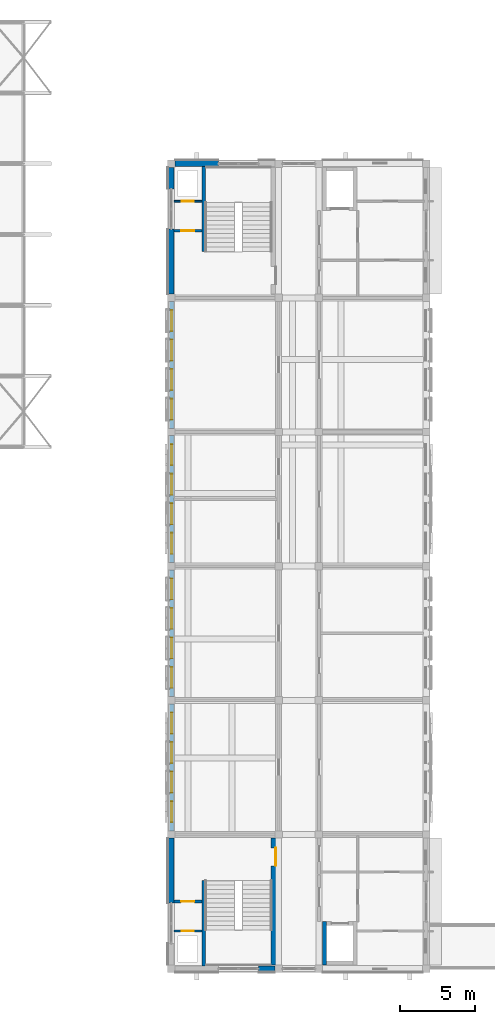
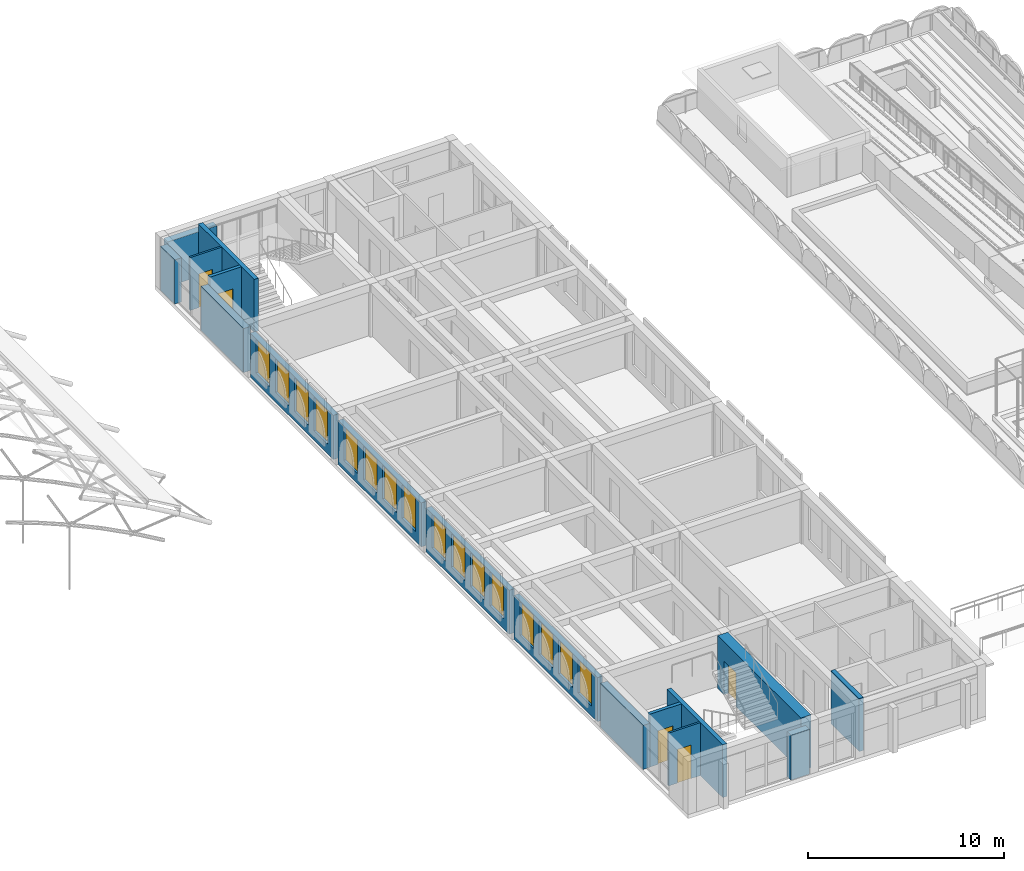
# One storey, part 29 of 50: 17 walls, 16 windows, 5 doors, 21 openings.
"""IFC4 building model written with IfcOpenShell, lengths in metres."""

from ifc_helpers import new_model, si_unit, direction, frame, frame_2d, origin, place, context, subcontext, project, spatial, rectangle, extrude, material, layer, layer_set, type_object, element, fill, save


model = new_model("IFC4")

# Units and contexts
model_context = context("Model", 3, precision=1e-05, world=origin(), true_north=direction((0.0, 1.0)))
body_context = subcontext(model_context, "Body", "Model", "MODEL_VIEW")
ifc_project = project(units=[si_unit("LENGTHUNIT", "METRE"), si_unit("AREAUNIT", "SQUARE_METRE"), si_unit("VOLUMEUNIT", "CUBIC_METRE"), si_unit("PLANEANGLEUNIT", "RADIAN"), si_unit("MASSUNIT", "GRAM", prefix="KILO")], contexts=[model_context])

# Site, building, storey
site_placement = place(None, origin())
site = spatial("IfcSite", under=ifc_project, at=site_placement, CompositionType="ELEMENT")
building_placement = place(site_placement, origin())
building = spatial("IfcBuilding", under=site, at=building_placement, Name="Elbe Cascade School", CompositionType="ELEMENT")
storey_placement = place(building_placement, frame((0.0, 0.0, 15.300048828125)))
storey = spatial("IfcBuildingStorey", under=building, at=storey_placement, Name="L04", CompositionType="ELEMENT", Elevation=15.300048828125)

# Wall, opening, door
ifc_material_1 = material(Name="Masonry - lime-sand block, plastered", Category="masonry")
ifc_layer_1 = layer(ifc_material_1, 0.114990234375)
ifc_layer_set_1 = layer_set([ifc_layer_1], Name="Masonry - lime-sand block, plastered")
wall_type_1 = type_object("IfcWallType", Name="Bar light partition wall lime-sand block 115", PredefinedType="PARTITIONING", material=ifc_layer_set_1)
wall_1_placement = place(storey_placement, frame((71.050048828125, 8.52001953125, 0.0), z_axis=(0.0, 0.0, 1.0), x_axis=(-1.0, 0.0, 0.0)))
wall_1 = element("IfcWall", 1, at=wall_1_placement, inside=storey, type_object=wall_type_1, Name="Bar light partition wall lime-sand block 115", PredefinedType="PARTITIONING", context=body_context, shape_type="SweptSolid", body=[
    extrude(rectangle(XDim=1.8701171875, YDim=0.114990234375, at=frame_2d((0.93505859375, 0.0))), origin(), (0.0, 0.0, 1.0), 3.300048828125),
])
opening_1_placement = place(wall_1_placement, frame((0.550048828125, 0.0, 0.0)))
opening_1 = element("IfcOpeningElement", 2, at=opening_1_placement, cuts=wall_1, Name="Opening D4.001", PredefinedType="OPENING", context=body_context, shape_type="SweptSolid", body=[
    extrude(rectangle(XDim=0.800048828125, YDim=2.10009765625, at=frame_2d((0.39990234375, 1.050048828125))), frame((0.0, 0.0673828125, 0.0), z_axis=(0.0, -1.0, 0.0), x_axis=(1.0, 0.0, 0.0)), (0.0, 0.0, 1.0), 0.135009765625),
])
ifc_material_2 = material(Name="Timber door leaf, steel frame", Category="steel")
door_type_1 = type_object("IfcDoorType", Name="Bar door 800x2100", OperationType="NOTDEFINED", PredefinedType="DOOR", material=ifc_material_2)
door_1_placement = place(opening_1_placement, origin())
door_1 = element("IfcDoor", 3, at=door_1_placement, inside=storey, type_object=door_type_1, Name="Door A4.05", OperationType="SINGLE_SWING_LEFT", OverallHeight=2.10009765625, OverallWidth=0.800048828125, PredefinedType="DOOR", context=body_context, shape_type="SweptSolid", body=[
    extrude(rectangle(XDim=0.800048828125, YDim=2.10009765625, at=frame_2d((0.39990234375, 1.050048828125))), frame((0.0, 0.02490234375, 0.0), z_axis=(0.0, -1.0, 0.0), x_axis=(1.0, 0.0, 0.0)), (0.0, 0.0, 1.0), 0.050048828125),
])
fill(opening_1, door_1)

wall_2_placement = place(storey_placement, frame((69.179931640625, 57.47998046875, 0.0), z_axis=(0.0, 0.0, 1.0), x_axis=(1.0, 0.0, 0.0)))
wall_2 = element("IfcWall", 4, at=wall_2_placement, inside=storey, type_object=wall_type_1, Name="Bar light partition wall lime-sand block 115", PredefinedType="PARTITIONING", context=body_context, shape_type="SweptSolid", body=[
    extrude(rectangle(XDim=1.8701171875, YDim=0.114990234375, at=frame_2d((0.93505859375, 0.0))), origin(), (0.0, 0.0, 1.0), 3.300048828125),
])
opening_2_placement = place(wall_2_placement, frame((0.52001953125, 0.0, 0.0)))
opening_2 = element("IfcOpeningElement", 5, at=opening_2_placement, cuts=wall_2, Name="Opening D4.027", PredefinedType="OPENING", context=body_context, shape_type="SweptSolid", body=[
    extrude(rectangle(XDim=0.800048828125, YDim=2.10009765625, at=frame_2d((0.39990234375, 1.050048828125))), frame((0.0, 0.0673828125, 0.0), z_axis=(0.0, -1.0, 0.0), x_axis=(1.0, 0.0, 0.0)), (0.0, 0.0, 1.0), 0.135009765625),
])
door_2_placement = place(opening_2_placement, origin())
door_2 = element("IfcDoor", 6, at=door_2_placement, inside=storey, type_object=door_type_1, Name="Door A4.14", OperationType="SINGLE_SWING_LEFT", OverallHeight=2.10009765625, OverallWidth=0.800048828125, PredefinedType="DOOR", context=body_context, shape_type="SweptSolid", body=[
    extrude(rectangle(XDim=0.800048828125, YDim=2.10009765625, at=frame_2d((0.39990234375, 1.050048828125))), frame((0.0, 0.02490234375, 0.0), z_axis=(0.0, -1.0, 0.0), x_axis=(1.0, 0.0, 0.0)), (0.0, 0.0, 1.0), 0.050048828125),
])
fill(opening_2, door_2)

# Walls
ifc_material_3 = material(Name="Concrete C30/37", Category="concrete")
ifc_layer_2 = layer(ifc_material_3, 0.25)
ifc_layer_set_2 = layer_set([ifc_layer_2], Name="Concrete C30/37")
wall_type_2 = type_object("IfcWallType", Name="Bar stair core wall RC 250", PredefinedType="SOLIDWALL", material=ifc_layer_set_2)
for number, where, z_axis, x_axis, name in (
    (7, (71.175048828125, 6.179931640625, 0.0), (0.0, 0.0, 1.0), (0.0, 1.0, 0.0), "Bar stair core wall RC 250"),
    (8, (71.175048828125, 54.10009765625, 0.0), (0.0, 0.0, 1.0), (0.0, 1.0, 0.0), "Bar stair core wall RC 250"),
):
    element("IfcWall", number, at=place(storey_placement, frame(where, z_axis=z_axis, x_axis=x_axis)), inside=storey, type_object=wall_type_2, Name=name, PredefinedType="SOLIDWALL", context=body_context, shape_type="SweptSolid", body=[
        extrude(rectangle(XDim=5.719970703125, YDim=0.25, at=frame_2d((2.85986328125, 0.0))), origin(), (0.0, 0.0, 1.0), 3.300048828125),
    ])

# Wall, opening, door
ifc_material_4 = material(Name="Concrete C30/37", Category="concrete")
ifc_layer_3 = layer(ifc_material_4, 0.60009765625)
ifc_layer_set_3 = layer_set([ifc_layer_3], Name="Concrete C30/37")
wall_type_3 = type_object("IfcWallType", Name="Bar stair core wall RC 600", PredefinedType="SOLIDWALL", material=ifc_layer_set_3)
wall_3_placement = place(storey_placement, frame((76.0, 6.25, 0.0), z_axis=(0.0, 0.0, 1.0), x_axis=(0.0, 1.0, 0.0)))
wall_3 = element("IfcWall", 9, at=wall_3_placement, inside=storey, type_object=wall_type_3, Name="Bar stair core wall RC 600", PredefinedType="SOLIDWALL", context=body_context, shape_type="SweptSolid", body=[
    extrude(rectangle(XDim=8.5, YDim=0.60009765625, at=frame_2d((4.25, 0.0))), origin(), (0.0, 0.0, 1.0), 3.300048828125),
])
opening_3_placement = place(wall_3_placement, frame((6.64990234375, 0.0, 0.0)))
opening_3 = element("IfcOpeningElement", 10, at=opening_3_placement, cuts=wall_3, Name="Opening D4.008", PredefinedType="OPENING", context=body_context, shape_type="SweptSolid", body=[
    extrude(rectangle(XDim=1.199951171875, YDim=2.10009765625, at=frame_2d((0.60009765625, 1.050048828125))), frame((0.0, 0.31005859375, 0.0), z_axis=(0.0, -1.0, 0.0), x_axis=(1.0, 0.0, 0.0)), (0.0, 0.0, 1.0), 0.6201171875),
])
ifc_material_5 = material(Name="Timber door leaf, fire-resisting and smoke-tight, steel frame", Category="steel")
door_type_2 = type_object("IfcDoorType", Name="Bar door FD30S 1200x2100", OperationType="NOTDEFINED", PredefinedType="DOOR", material=ifc_material_5)
door_3_placement = place(opening_3_placement, origin())
door_3 = element("IfcDoor", 11, at=door_3_placement, inside=storey, type_object=door_type_2, Name="Door A4.03", OperationType="SINGLE_SWING_RIGHT", OverallHeight=2.10009765625, OverallWidth=1.199951171875, PredefinedType="DOOR", context=body_context, shape_type="SweptSolid", body=[
    extrude(rectangle(XDim=1.199951171875, YDim=2.10009765625, at=frame_2d((0.60009765625, 1.050048828125))), frame((0.0, 0.02490234375, 0.0), z_axis=(0.0, -1.0, 0.0), x_axis=(1.0, 0.0, 0.0)), (0.0, 0.0, 1.0), 0.050048828125),
])
fill(opening_3, door_3)

ifc_material_6 = material(Name="Concrete C30/37", Category="concrete")
ifc_layer_4 = layer(ifc_material_6, 0.199951171875)
ifc_layer_set_4 = layer_set([ifc_layer_4], Name="Concrete C30/37")
wall_type_4 = type_object("IfcWallType", Name="Bar stair lobby wall RC 200", PredefinedType="SOLIDWALL", material=ifc_layer_set_4)
wall_4_placement = place(storey_placement, frame((71.050048828125, 10.5, 0.0), z_axis=(0.0, 0.0, 1.0), x_axis=(-1.0, 0.0, 0.0)))
wall_4 = element("IfcWall", 12, at=wall_4_placement, inside=storey, type_object=wall_type_4, Name="Bar stair lobby wall RC 200", PredefinedType="SOLIDWALL", context=body_context, shape_type="SweptSolid", body=[
    extrude(rectangle(XDim=1.8701171875, YDim=0.199951171875, at=frame_2d((0.93505859375, 0.0))), origin(), (0.0, 0.0, 1.0), 3.300048828125),
])
opening_4_placement = place(wall_4_placement, frame((0.5, 0.0, 0.0)))
opening_4 = element("IfcOpeningElement", 13, at=opening_4_placement, cuts=wall_4, Name="Opening D4.004", PredefinedType="OPENING", context=body_context, shape_type="SweptSolid", body=[
    extrude(rectangle(XDim=0.89990234375, YDim=2.10009765625, at=frame_2d((0.449951171875, 1.050048828125))), frame((0.0, 0.10986328125, 0.0), z_axis=(0.0, -1.0, 0.0), x_axis=(1.0, 0.0, 0.0)), (0.0, 0.0, 1.0), 0.219970703125),
])
ifc_material_7 = material(Name="Timber door leaf, fire-resisting and smoke-tight, steel frame", Category="steel")
door_type_3 = type_object("IfcDoorType", Name="Bar door FD30S 900x2100", OperationType="NOTDEFINED", PredefinedType="DOOR", material=ifc_material_7)
door_4_placement = place(opening_4_placement, origin())
door_4 = element("IfcDoor", 14, at=door_4_placement, inside=storey, type_object=door_type_3, Name="Door A4.04", OperationType="SINGLE_SWING_RIGHT", OverallHeight=2.10009765625, OverallWidth=0.89990234375, PredefinedType="DOOR", context=body_context, shape_type="SweptSolid", body=[
    extrude(rectangle(XDim=0.89990234375, YDim=2.10009765625, at=frame_2d((0.449951171875, 1.050048828125))), frame((0.0, 0.02490234375, 0.0), z_axis=(0.0, -1.0, 0.0), x_axis=(1.0, 0.0, 0.0)), (0.0, 0.0, 1.0), 0.050048828125),
])
fill(opening_4, door_4)

wall_5_placement = place(storey_placement, frame((69.179931640625, 55.5, 0.0), z_axis=(0.0, 0.0, 1.0), x_axis=(1.0, 0.0, 0.0)))
wall_5 = element("IfcWall", 15, at=wall_5_placement, inside=storey, type_object=wall_type_4, Name="Bar stair lobby wall RC 200", PredefinedType="SOLIDWALL", context=body_context, shape_type="SweptSolid", body=[
    extrude(rectangle(XDim=1.8701171875, YDim=0.199951171875, at=frame_2d((0.93505859375, 0.0))), origin(), (0.0, 0.0, 1.0), 3.300048828125),
])
opening_5_placement = place(wall_5_placement, frame((0.469970703125, 0.0, 0.0)))
opening_5 = element("IfcOpeningElement", 16, at=opening_5_placement, cuts=wall_5, Name="Opening D4.025", PredefinedType="OPENING", context=body_context, shape_type="SweptSolid", body=[
    extrude(rectangle(XDim=0.89990234375, YDim=2.10009765625, at=frame_2d((0.449951171875, 1.050048828125))), frame((0.0, 0.10986328125, 0.0), z_axis=(0.0, -1.0, 0.0), x_axis=(1.0, 0.0, 0.0)), (0.0, 0.0, 1.0), 0.219970703125),
])
door_5_placement = place(opening_5_placement, origin())
door_5 = element("IfcDoor", 17, at=door_5_placement, inside=storey, type_object=door_type_3, Name="Door A4.13", OperationType="SINGLE_SWING_RIGHT", OverallHeight=2.10009765625, OverallWidth=0.89990234375, PredefinedType="DOOR", context=body_context, shape_type="SweptSolid", body=[
    extrude(rectangle(XDim=0.89990234375, YDim=2.10009765625, at=frame_2d((0.449951171875, 1.050048828125))), frame((0.0, 0.02490234375, 0.0), z_axis=(0.0, -1.0, 0.0), x_axis=(1.0, 0.0, 0.0)), (0.0, 0.0, 1.0), 0.050048828125),
])
fill(opening_5, door_5)

# Wall, openings, windows
ifc_material_8 = material(Name="Brick masonry - red clinker, cavity wall with render backing", Category="masonry")
ifc_layer_5 = layer(ifc_material_8, 0.300048828125)
ifc_layer_set_5 = layer_set([ifc_layer_5], Name="Brick masonry - red clinker, cavity wall with render backing")
wall_type_5 = type_object("IfcWallType", Name="Bars envelope External wall - clinker brick cavity, 300 upper floors", PredefinedType="STANDARD", material=ifc_layer_set_5)
wall_6_placement = place(storey_placement, frame((69.030029296875, 15.25, 0.0), z_axis=(0.0, 0.0, 1.0), x_axis=(0.0, 1.0, 0.0)))
wall_6 = element("IfcWall", 18, at=wall_6_placement, inside=storey, type_object=wall_type_5, Name="External wall W30 A.L04.w2", PredefinedType="STANDARD", context=body_context, shape_type="SweptSolid", body=[
    extrude(rectangle(XDim=8.5, YDim=0.300048828125, at=frame_2d((4.25, 0.0))), origin(), (0.0, 0.0, 1.0), 2.75),
])
opening_6_placement = place(wall_6_placement, frame((0.580078125, 0.0, 0.60009765625)))
opening_6 = element("IfcOpeningElement", 19, at=opening_6_placement, cuts=wall_6, Name="Opening W4.004", PredefinedType="OPENING", context=body_context, shape_type="SweptSolid", body=[
    extrude(rectangle(XDim=1.39990234375, YDim=2.10009765625, at=frame_2d((0.699951171875, 1.050048828125))), frame((0.0, 0.159912109375, 0.0), z_axis=(0.0, -1.0, 0.0), x_axis=(1.0, 0.0, 0.0)), (0.0, 0.0, 1.0), 0.320068359375),
])
opening_7_placement = place(wall_6_placement, frame((2.56005859375, 0.0, 0.60009765625)))
opening_7 = element("IfcOpeningElement", 20, at=opening_7_placement, cuts=wall_6, Name="Opening W4.006", PredefinedType="OPENING", context=body_context, shape_type="SweptSolid", body=[
    extrude(rectangle(XDim=1.39990234375, YDim=2.10009765625, at=frame_2d((0.699951171875, 1.050048828125))), frame((0.0, 0.159912109375, 0.0), z_axis=(0.0, -1.0, 0.0), x_axis=(1.0, 0.0, 0.0)), (0.0, 0.0, 1.0), 0.320068359375),
])
opening_8_placement = place(wall_6_placement, frame((4.5400390625, 0.0, 0.60009765625)))
opening_8 = element("IfcOpeningElement", 21, at=opening_8_placement, cuts=wall_6, Name="Opening W4.008", PredefinedType="OPENING", context=body_context, shape_type="SweptSolid", body=[
    extrude(rectangle(XDim=1.39990234375, YDim=2.10009765625, at=frame_2d((0.699951171875, 1.050048828125))), frame((0.0, 0.159912109375, 0.0), z_axis=(0.0, -1.0, 0.0), x_axis=(1.0, 0.0, 0.0)), (0.0, 0.0, 1.0), 0.320068359375),
])
opening_9_placement = place(wall_6_placement, frame((6.52001953125, 0.0, 0.60009765625)))
opening_9 = element("IfcOpeningElement", 22, at=opening_9_placement, cuts=wall_6, Name="Opening W4.010", PredefinedType="OPENING", context=body_context, shape_type="SweptSolid", body=[
    extrude(rectangle(XDim=1.39990234375, YDim=2.10009765625, at=frame_2d((0.699951171875, 1.050048828125))), frame((0.0, 0.159912109375, 0.0), z_axis=(0.0, -1.0, 0.0), x_axis=(1.0, 0.0, 0.0)), (0.0, 0.0, 1.0), 0.320068359375),
])
ifc_material_9 = material(Name="Aluminium frame with double glazing, bronze anodised", Category="aluminium")
window_type = type_object("IfcWindowType", Name="Bars envelope Window 1400 x 2100, classroom, aluminium double glazed", PartitioningType="DOUBLE_PANEL_VERTICAL", PredefinedType="WINDOW", material=ifc_material_9)
window_1_placement = place(opening_6_placement, origin())
window_1 = element("IfcWindow", 23, at=window_1_placement, inside=storey, type_object=window_type, Name="Window WN8 A.L04.w2.1", OverallHeight=2.10009765625, OverallWidth=1.39990234375, PartitioningType="DOUBLE_PANEL_VERTICAL", PredefinedType="WINDOW", context=body_context, shape_type="SweptSolid", body=[
    extrude(rectangle(XDim=1.39990234375, YDim=2.10009765625, at=frame_2d((0.699951171875, 1.050048828125))), frame((0.0, 0.030029296875, 0.0), z_axis=(0.0, -1.0, 0.0), x_axis=(1.0, 0.0, 0.0)), (0.0, 0.0, 1.0), 0.06005859375),
])
fill(opening_6, window_1)
window_2_placement = place(opening_7_placement, origin())
window_2 = element("IfcWindow", 24, at=window_2_placement, inside=storey, type_object=window_type, Name="Window WN8 A.L04.w2.2", OverallHeight=2.10009765625, OverallWidth=1.39990234375, PartitioningType="DOUBLE_PANEL_VERTICAL", PredefinedType="WINDOW", context=body_context, shape_type="SweptSolid", body=[
    extrude(rectangle(XDim=1.39990234375, YDim=2.10009765625, at=frame_2d((0.699951171875, 1.050048828125))), frame((0.0, 0.030029296875, 0.0), z_axis=(0.0, -1.0, 0.0), x_axis=(1.0, 0.0, 0.0)), (0.0, 0.0, 1.0), 0.06005859375),
])
fill(opening_7, window_2)
window_3_placement = place(opening_8_placement, origin())
window_3 = element("IfcWindow", 25, at=window_3_placement, inside=storey, type_object=window_type, Name="Window WN8 A.L04.w2.3", OverallHeight=2.10009765625, OverallWidth=1.39990234375, PartitioningType="DOUBLE_PANEL_VERTICAL", PredefinedType="WINDOW", context=body_context, shape_type="SweptSolid", body=[
    extrude(rectangle(XDim=1.39990234375, YDim=2.10009765625, at=frame_2d((0.699951171875, 1.050048828125))), frame((0.0, 0.030029296875, 0.0), z_axis=(0.0, -1.0, 0.0), x_axis=(1.0, 0.0, 0.0)), (0.0, 0.0, 1.0), 0.06005859375),
])
fill(opening_8, window_3)
window_4_placement = place(opening_9_placement, origin())
window_4 = element("IfcWindow", 26, at=window_4_placement, inside=storey, type_object=window_type, Name="Window WN8 A.L04.w2.4", OverallHeight=2.10009765625, OverallWidth=1.39990234375, PartitioningType="DOUBLE_PANEL_VERTICAL", PredefinedType="WINDOW", context=body_context, shape_type="SweptSolid", body=[
    extrude(rectangle(XDim=1.39990234375, YDim=2.10009765625, at=frame_2d((0.699951171875, 1.050048828125))), frame((0.0, 0.030029296875, 0.0), z_axis=(0.0, -1.0, 0.0), x_axis=(1.0, 0.0, 0.0)), (0.0, 0.0, 1.0), 0.06005859375),
])
fill(opening_9, window_4)

wall_7_placement = place(storey_placement, frame((69.030029296875, 24.25, 0.0), z_axis=(0.0, 0.0, 1.0), x_axis=(0.0, 1.0, 0.0)))
wall_7 = element("IfcWall", 27, at=wall_7_placement, inside=storey, type_object=wall_type_5, Name="External wall W30 A.L04.w3", PredefinedType="STANDARD", context=body_context, shape_type="SweptSolid", body=[
    extrude(rectangle(XDim=8.5, YDim=0.300048828125, at=frame_2d((4.25, 0.0))), origin(), (0.0, 0.0, 1.0), 2.75),
])
opening_10_placement = place(wall_7_placement, frame((0.580078125, 0.0, 0.60009765625)))
opening_10 = element("IfcOpeningElement", 28, at=opening_10_placement, cuts=wall_7, Name="Opening W4.012", PredefinedType="OPENING", context=body_context, shape_type="SweptSolid", body=[
    extrude(rectangle(XDim=1.39990234375, YDim=2.10009765625, at=frame_2d((0.699951171875, 1.050048828125))), frame((0.0, 0.159912109375, 0.0), z_axis=(0.0, -1.0, 0.0), x_axis=(1.0, 0.0, 0.0)), (0.0, 0.0, 1.0), 0.320068359375),
])
opening_11_placement = place(wall_7_placement, frame((2.56005859375, 0.0, 0.60009765625)))
opening_11 = element("IfcOpeningElement", 29, at=opening_11_placement, cuts=wall_7, Name="Opening W4.014", PredefinedType="OPENING", context=body_context, shape_type="SweptSolid", body=[
    extrude(rectangle(XDim=1.39990234375, YDim=2.10009765625, at=frame_2d((0.699951171875, 1.050048828125))), frame((0.0, 0.159912109375, 0.0), z_axis=(0.0, -1.0, 0.0), x_axis=(1.0, 0.0, 0.0)), (0.0, 0.0, 1.0), 0.320068359375),
])
opening_12_placement = place(wall_7_placement, frame((4.5400390625, 0.0, 0.60009765625)))
opening_12 = element("IfcOpeningElement", 30, at=opening_12_placement, cuts=wall_7, Name="Opening W4.016", PredefinedType="OPENING", context=body_context, shape_type="SweptSolid", body=[
    extrude(rectangle(XDim=1.39990234375, YDim=2.10009765625, at=frame_2d((0.699951171875, 1.050048828125))), frame((0.0, 0.159912109375, 0.0), z_axis=(0.0, -1.0, 0.0), x_axis=(1.0, 0.0, 0.0)), (0.0, 0.0, 1.0), 0.320068359375),
])
opening_13_placement = place(wall_7_placement, frame((6.52001953125, 0.0, 0.60009765625)))
opening_13 = element("IfcOpeningElement", 31, at=opening_13_placement, cuts=wall_7, Name="Opening W4.018", PredefinedType="OPENING", context=body_context, shape_type="SweptSolid", body=[
    extrude(rectangle(XDim=1.39990234375, YDim=2.10009765625, at=frame_2d((0.699951171875, 1.050048828125))), frame((0.0, 0.159912109375, 0.0), z_axis=(0.0, -1.0, 0.0), x_axis=(1.0, 0.0, 0.0)), (0.0, 0.0, 1.0), 0.320068359375),
])
window_5_placement = place(opening_10_placement, origin())
window_5 = element("IfcWindow", 32, at=window_5_placement, inside=storey, type_object=window_type, Name="Window WN8 A.L04.w3.1", OverallHeight=2.10009765625, OverallWidth=1.39990234375, PartitioningType="DOUBLE_PANEL_VERTICAL", PredefinedType="WINDOW", context=body_context, shape_type="SweptSolid", body=[
    extrude(rectangle(XDim=1.39990234375, YDim=2.10009765625, at=frame_2d((0.699951171875, 1.050048828125))), frame((0.0, 0.030029296875, 0.0), z_axis=(0.0, -1.0, 0.0), x_axis=(1.0, 0.0, 0.0)), (0.0, 0.0, 1.0), 0.06005859375),
])
fill(opening_10, window_5)
window_6_placement = place(opening_11_placement, origin())
window_6 = element("IfcWindow", 33, at=window_6_placement, inside=storey, type_object=window_type, Name="Window WN8 A.L04.w3.2", OverallHeight=2.10009765625, OverallWidth=1.39990234375, PartitioningType="DOUBLE_PANEL_VERTICAL", PredefinedType="WINDOW", context=body_context, shape_type="SweptSolid", body=[
    extrude(rectangle(XDim=1.39990234375, YDim=2.10009765625, at=frame_2d((0.699951171875, 1.050048828125))), frame((0.0, 0.030029296875, 0.0), z_axis=(0.0, -1.0, 0.0), x_axis=(1.0, 0.0, 0.0)), (0.0, 0.0, 1.0), 0.06005859375),
])
fill(opening_11, window_6)
window_7_placement = place(opening_12_placement, origin())
window_7 = element("IfcWindow", 34, at=window_7_placement, inside=storey, type_object=window_type, Name="Window WN8 A.L04.w3.3", OverallHeight=2.10009765625, OverallWidth=1.39990234375, PartitioningType="DOUBLE_PANEL_VERTICAL", PredefinedType="WINDOW", context=body_context, shape_type="SweptSolid", body=[
    extrude(rectangle(XDim=1.39990234375, YDim=2.10009765625, at=frame_2d((0.699951171875, 1.050048828125))), frame((0.0, 0.030029296875, 0.0), z_axis=(0.0, -1.0, 0.0), x_axis=(1.0, 0.0, 0.0)), (0.0, 0.0, 1.0), 0.06005859375),
])
fill(opening_12, window_7)
window_8_placement = place(opening_13_placement, origin())
window_8 = element("IfcWindow", 35, at=window_8_placement, inside=storey, type_object=window_type, Name="Window WN8 A.L04.w3.4", OverallHeight=2.10009765625, OverallWidth=1.39990234375, PartitioningType="DOUBLE_PANEL_VERTICAL", PredefinedType="WINDOW", context=body_context, shape_type="SweptSolid", body=[
    extrude(rectangle(XDim=1.39990234375, YDim=2.10009765625, at=frame_2d((0.699951171875, 1.050048828125))), frame((0.0, 0.030029296875, 0.0), z_axis=(0.0, -1.0, 0.0), x_axis=(1.0, 0.0, 0.0)), (0.0, 0.0, 1.0), 0.06005859375),
])
fill(opening_13, window_8)

wall_8_placement = place(storey_placement, frame((69.030029296875, 33.25, 0.0), z_axis=(0.0, 0.0, 1.0), x_axis=(0.0, 1.0, 0.0)))
wall_8 = element("IfcWall", 36, at=wall_8_placement, inside=storey, type_object=wall_type_5, Name="External wall W30 A.L04.w4", PredefinedType="STANDARD", context=body_context, shape_type="SweptSolid", body=[
    extrude(rectangle(XDim=8.5, YDim=0.300048828125, at=frame_2d((4.25, 0.0))), origin(), (0.0, 0.0, 1.0), 2.75),
])
opening_14_placement = place(wall_8_placement, frame((0.580078125, 0.0, 0.60009765625)))
opening_14 = element("IfcOpeningElement", 37, at=opening_14_placement, cuts=wall_8, Name="Opening W4.020", PredefinedType="OPENING", context=body_context, shape_type="SweptSolid", body=[
    extrude(rectangle(XDim=1.39990234375, YDim=2.10009765625, at=frame_2d((0.699951171875, 1.050048828125))), frame((0.0, 0.159912109375, 0.0), z_axis=(0.0, -1.0, 0.0), x_axis=(1.0, 0.0, 0.0)), (0.0, 0.0, 1.0), 0.320068359375),
])
opening_15_placement = place(wall_8_placement, frame((2.56005859375, 0.0, 0.60009765625)))
opening_15 = element("IfcOpeningElement", 38, at=opening_15_placement, cuts=wall_8, Name="Opening W4.022", PredefinedType="OPENING", context=body_context, shape_type="SweptSolid", body=[
    extrude(rectangle(XDim=1.39990234375, YDim=2.10009765625, at=frame_2d((0.699951171875, 1.050048828125))), frame((0.0, 0.159912109375, 0.0), z_axis=(0.0, -1.0, 0.0), x_axis=(1.0, 0.0, 0.0)), (0.0, 0.0, 1.0), 0.320068359375),
])
opening_16_placement = place(wall_8_placement, frame((4.5400390625, 0.0, 0.60009765625)))
opening_16 = element("IfcOpeningElement", 39, at=opening_16_placement, cuts=wall_8, Name="Opening W4.024", PredefinedType="OPENING", context=body_context, shape_type="SweptSolid", body=[
    extrude(rectangle(XDim=1.39990234375, YDim=2.10009765625, at=frame_2d((0.699951171875, 1.050048828125))), frame((0.0, 0.159912109375, 0.0), z_axis=(0.0, -1.0, 0.0), x_axis=(1.0, 0.0, 0.0)), (0.0, 0.0, 1.0), 0.320068359375),
])
opening_17_placement = place(wall_8_placement, frame((6.52001953125, 0.0, 0.60009765625)))
opening_17 = element("IfcOpeningElement", 40, at=opening_17_placement, cuts=wall_8, Name="Opening W4.026", PredefinedType="OPENING", context=body_context, shape_type="SweptSolid", body=[
    extrude(rectangle(XDim=1.39990234375, YDim=2.10009765625, at=frame_2d((0.699951171875, 1.050048828125))), frame((0.0, 0.159912109375, 0.0), z_axis=(0.0, -1.0, 0.0), x_axis=(1.0, 0.0, 0.0)), (0.0, 0.0, 1.0), 0.320068359375),
])
window_9_placement = place(opening_14_placement, origin())
window_9 = element("IfcWindow", 41, at=window_9_placement, inside=storey, type_object=window_type, Name="Window WN8 A.L04.w4.1", OverallHeight=2.10009765625, OverallWidth=1.39990234375, PartitioningType="DOUBLE_PANEL_VERTICAL", PredefinedType="WINDOW", context=body_context, shape_type="SweptSolid", body=[
    extrude(rectangle(XDim=1.39990234375, YDim=2.10009765625, at=frame_2d((0.699951171875, 1.050048828125))), frame((0.0, 0.030029296875, 0.0), z_axis=(0.0, -1.0, 0.0), x_axis=(1.0, 0.0, 0.0)), (0.0, 0.0, 1.0), 0.06005859375),
])
fill(opening_14, window_9)
window_10_placement = place(opening_15_placement, origin())
window_10 = element("IfcWindow", 42, at=window_10_placement, inside=storey, type_object=window_type, Name="Window WN8 A.L04.w4.2", OverallHeight=2.10009765625, OverallWidth=1.39990234375, PartitioningType="DOUBLE_PANEL_VERTICAL", PredefinedType="WINDOW", context=body_context, shape_type="SweptSolid", body=[
    extrude(rectangle(XDim=1.39990234375, YDim=2.10009765625, at=frame_2d((0.699951171875, 1.050048828125))), frame((0.0, 0.030029296875, 0.0), z_axis=(0.0, -1.0, 0.0), x_axis=(1.0, 0.0, 0.0)), (0.0, 0.0, 1.0), 0.06005859375),
])
fill(opening_15, window_10)
window_11_placement = place(opening_16_placement, origin())
window_11 = element("IfcWindow", 43, at=window_11_placement, inside=storey, type_object=window_type, Name="Window WN8 A.L04.w4.3", OverallHeight=2.10009765625, OverallWidth=1.39990234375, PartitioningType="DOUBLE_PANEL_VERTICAL", PredefinedType="WINDOW", context=body_context, shape_type="SweptSolid", body=[
    extrude(rectangle(XDim=1.39990234375, YDim=2.10009765625, at=frame_2d((0.699951171875, 1.050048828125))), frame((0.0, 0.030029296875, 0.0), z_axis=(0.0, -1.0, 0.0), x_axis=(1.0, 0.0, 0.0)), (0.0, 0.0, 1.0), 0.06005859375),
])
fill(opening_16, window_11)
window_12_placement = place(opening_17_placement, origin())
window_12 = element("IfcWindow", 44, at=window_12_placement, inside=storey, type_object=window_type, Name="Window WN8 A.L04.w4.4", OverallHeight=2.10009765625, OverallWidth=1.39990234375, PartitioningType="DOUBLE_PANEL_VERTICAL", PredefinedType="WINDOW", context=body_context, shape_type="SweptSolid", body=[
    extrude(rectangle(XDim=1.39990234375, YDim=2.10009765625, at=frame_2d((0.699951171875, 1.050048828125))), frame((0.0, 0.030029296875, 0.0), z_axis=(0.0, -1.0, 0.0), x_axis=(1.0, 0.0, 0.0)), (0.0, 0.0, 1.0), 0.06005859375),
])
fill(opening_17, window_12)

wall_9_placement = place(storey_placement, frame((69.030029296875, 42.25, 0.0), z_axis=(0.0, 0.0, 1.0), x_axis=(0.0, 1.0, 0.0)))
wall_9 = element("IfcWall", 45, at=wall_9_placement, inside=storey, type_object=wall_type_5, Name="External wall W30 A.L04.w5", PredefinedType="STANDARD", context=body_context, shape_type="SweptSolid", body=[
    extrude(rectangle(XDim=8.5, YDim=0.300048828125, at=frame_2d((4.25, 0.0))), origin(), (0.0, 0.0, 1.0), 2.75),
])
opening_18_placement = place(wall_9_placement, frame((0.580078125, 0.0, 0.60009765625)))
opening_18 = element("IfcOpeningElement", 46, at=opening_18_placement, cuts=wall_9, Name="Opening W4.028", PredefinedType="OPENING", context=body_context, shape_type="SweptSolid", body=[
    extrude(rectangle(XDim=1.39990234375, YDim=2.10009765625, at=frame_2d((0.699951171875, 1.050048828125))), frame((0.0, 0.159912109375, 0.0), z_axis=(0.0, -1.0, 0.0), x_axis=(1.0, 0.0, 0.0)), (0.0, 0.0, 1.0), 0.320068359375),
])
opening_19_placement = place(wall_9_placement, frame((2.56005859375, 0.0, 0.60009765625)))
opening_19 = element("IfcOpeningElement", 47, at=opening_19_placement, cuts=wall_9, Name="Opening W4.030", PredefinedType="OPENING", context=body_context, shape_type="SweptSolid", body=[
    extrude(rectangle(XDim=1.39990234375, YDim=2.10009765625, at=frame_2d((0.699951171875, 1.050048828125))), frame((0.0, 0.159912109375, 0.0), z_axis=(0.0, -1.0, 0.0), x_axis=(1.0, 0.0, 0.0)), (0.0, 0.0, 1.0), 0.320068359375),
])
opening_20_placement = place(wall_9_placement, frame((4.5400390625, 0.0, 0.60009765625)))
opening_20 = element("IfcOpeningElement", 48, at=opening_20_placement, cuts=wall_9, Name="Opening W4.032", PredefinedType="OPENING", context=body_context, shape_type="SweptSolid", body=[
    extrude(rectangle(XDim=1.39990234375, YDim=2.10009765625, at=frame_2d((0.699951171875, 1.050048828125))), frame((0.0, 0.159912109375, 0.0), z_axis=(0.0, -1.0, 0.0), x_axis=(1.0, 0.0, 0.0)), (0.0, 0.0, 1.0), 0.320068359375),
])
opening_21_placement = place(wall_9_placement, frame((6.52001953125, 0.0, 0.60009765625)))
opening_21 = element("IfcOpeningElement", 49, at=opening_21_placement, cuts=wall_9, Name="Opening W4.034", PredefinedType="OPENING", context=body_context, shape_type="SweptSolid", body=[
    extrude(rectangle(XDim=1.39990234375, YDim=2.10009765625, at=frame_2d((0.699951171875, 1.050048828125))), frame((0.0, 0.159912109375, 0.0), z_axis=(0.0, -1.0, 0.0), x_axis=(1.0, 0.0, 0.0)), (0.0, 0.0, 1.0), 0.320068359375),
])
window_13_placement = place(opening_18_placement, origin())
window_13 = element("IfcWindow", 50, at=window_13_placement, inside=storey, type_object=window_type, Name="Window WN8 A.L04.w5.1", OverallHeight=2.10009765625, OverallWidth=1.39990234375, PartitioningType="DOUBLE_PANEL_VERTICAL", PredefinedType="WINDOW", context=body_context, shape_type="SweptSolid", body=[
    extrude(rectangle(XDim=1.39990234375, YDim=2.10009765625, at=frame_2d((0.699951171875, 1.050048828125))), frame((0.0, 0.030029296875, 0.0), z_axis=(0.0, -1.0, 0.0), x_axis=(1.0, 0.0, 0.0)), (0.0, 0.0, 1.0), 0.06005859375),
])
fill(opening_18, window_13)
window_14_placement = place(opening_19_placement, origin())
window_14 = element("IfcWindow", 51, at=window_14_placement, inside=storey, type_object=window_type, Name="Window WN8 A.L04.w5.2", OverallHeight=2.10009765625, OverallWidth=1.39990234375, PartitioningType="DOUBLE_PANEL_VERTICAL", PredefinedType="WINDOW", context=body_context, shape_type="SweptSolid", body=[
    extrude(rectangle(XDim=1.39990234375, YDim=2.10009765625, at=frame_2d((0.699951171875, 1.050048828125))), frame((0.0, 0.030029296875, 0.0), z_axis=(0.0, -1.0, 0.0), x_axis=(1.0, 0.0, 0.0)), (0.0, 0.0, 1.0), 0.06005859375),
])
fill(opening_19, window_14)
window_15_placement = place(opening_20_placement, origin())
window_15 = element("IfcWindow", 52, at=window_15_placement, inside=storey, type_object=window_type, Name="Window WN8 A.L04.w5.3", OverallHeight=2.10009765625, OverallWidth=1.39990234375, PartitioningType="DOUBLE_PANEL_VERTICAL", PredefinedType="WINDOW", context=body_context, shape_type="SweptSolid", body=[
    extrude(rectangle(XDim=1.39990234375, YDim=2.10009765625, at=frame_2d((0.699951171875, 1.050048828125))), frame((0.0, 0.030029296875, 0.0), z_axis=(0.0, -1.0, 0.0), x_axis=(1.0, 0.0, 0.0)), (0.0, 0.0, 1.0), 0.06005859375),
])
fill(opening_20, window_15)
window_16_placement = place(opening_21_placement, origin())
window_16 = element("IfcWindow", 53, at=window_16_placement, inside=storey, type_object=window_type, Name="Window WN8 A.L04.w5.4", OverallHeight=2.10009765625, OverallWidth=1.39990234375, PartitioningType="DOUBLE_PANEL_VERTICAL", PredefinedType="WINDOW", context=body_context, shape_type="SweptSolid", body=[
    extrude(rectangle(XDim=1.39990234375, YDim=2.10009765625, at=frame_2d((0.699951171875, 1.050048828125))), frame((0.0, 0.030029296875, 0.0), z_axis=(0.0, -1.0, 0.0), x_axis=(1.0, 0.0, 0.0)), (0.0, 0.0, 1.0), 0.06005859375),
])
fill(opening_21, window_16)

# Walls
ifc_material_10 = material(Name="Brick masonry - red clinker, solid, sandstone-faced", Category="masonry")
ifc_layer_6 = layer(ifc_material_10, 0.39990234375)
ifc_layer_set_6 = layer_set([ifc_layer_6], Name="Brick masonry - red clinker, solid, sandstone-faced")
wall_type_6 = type_object("IfcWallType", Name="Bars envelope External wall - solid masonry core strip, sandstone faced, 400", PredefinedType="STANDARD", material=ifc_layer_set_6)
for number, where, z_axis, x_axis, name in (
    (54, (68.97998046875, 10.389892578125, 0.0), (0.0, 0.0, 1.0), (0.0, 1.0, 0.0), "External wall W31 A.L04.w1b"),
    (55, (68.97998046875, 51.25, 0.0), (0.0, 0.0, 1.0), (0.0, 1.0, 0.0), "External wall W31 A.L04.w6a"),
):
    element("IfcWall", number, at=place(storey_placement, frame(where, z_axis=z_axis, x_axis=x_axis)), inside=storey, type_object=wall_type_6, Name=name, PredefinedType="STANDARD", context=body_context, shape_type="SweptSolid", body=[
        extrude(rectangle(XDim=4.360107421875, YDim=0.39990234375, at=frame_2d((2.18017578125, 0.0))), origin(), (0.0, 0.0, 1.0), 2.75),
    ])
wall_10_placement = place(storey_placement, frame((68.97998046875, 58.31005859375, 0.0), z_axis=(0.0, 0.0, 1.0), x_axis=(0.0, 1.0, 0.0)))
element("IfcWall", 56, at=wall_10_placement, inside=storey, type_object=wall_type_6, Name="External wall W31 A.L04.w6b", PredefinedType="STANDARD", context=body_context, shape_type="SweptSolid", body=[
    extrude(rectangle(XDim=1.43994140625, YDim=0.39990234375, at=frame_2d((0.719970703125, 0.0))), origin(), (0.0, 0.0, 1.0), 2.75),
])
wall_11_placement = place(storey_placement, frame((75.949951171875, 5.97998046875, 0.0), z_axis=(0.0, 0.0, 1.0), x_axis=(-1.0, 0.0, 0.0)))
element("IfcWall", 57, at=wall_11_placement, inside=storey, type_object=wall_type_6, Name="External wall W31 A.L04.s1b", PredefinedType="STANDARD", context=body_context, shape_type="SweptSolid", body=[
    extrude(rectangle(XDim=1.099853515625, YDim=0.39990234375, at=frame_2d((0.5498046875, 0.0))), origin(), (0.0, 0.0, 1.0), 2.800048828125),
])
wall_12_placement = place(storey_placement, frame((69.25, 60.02001953125, 0.0), z_axis=(0.0, 0.0, 1.0), x_axis=(1.0, 0.0, 0.0)))
element("IfcWall", 58, at=wall_12_placement, inside=storey, type_object=wall_type_6, Name="External wall W31 A.L04.n1a", PredefinedType="STANDARD", context=body_context, shape_type="SweptSolid", body=[
    extrude(rectangle(XDim=2.89990234375, YDim=0.39990234375, at=frame_2d((1.449951171875, 0.0))), origin(), (0.0, 0.0, 1.0), 2.800048828125),
])
ifc_material_11 = material(Name="Concrete C30/37", Category="concrete")
ifc_layer_7 = layer(ifc_material_11, 0.25)
ifc_layer_set_7 = layer_set([ifc_layer_7], Name="Concrete C30/37")
wall_type_7 = type_object("IfcWallType", Name="Shaft wall 250", PredefinedType="SHEAR", material=ifc_layer_set_7)
wall_13_placement = place(storey_placement, frame((79.27490234375, 6.25, 0.0), z_axis=(0.0, 0.0, 1.0), x_axis=(0.0, 1.0, 0.0)))
element("IfcWall", 59, at=wall_13_placement, inside=storey, type_object=wall_type_7, Name="Shaft wall 250 W1", PredefinedType="SHEAR", context=body_context, shape_type="SweptSolid", body=[
    extrude(rectangle(XDim=2.89990234375, YDim=0.25, at=frame_2d((1.449951171875, 0.0))), origin(), (0.0, 0.0, 1.0), 3.300048828125),
])

save(model, "model.ifc")
